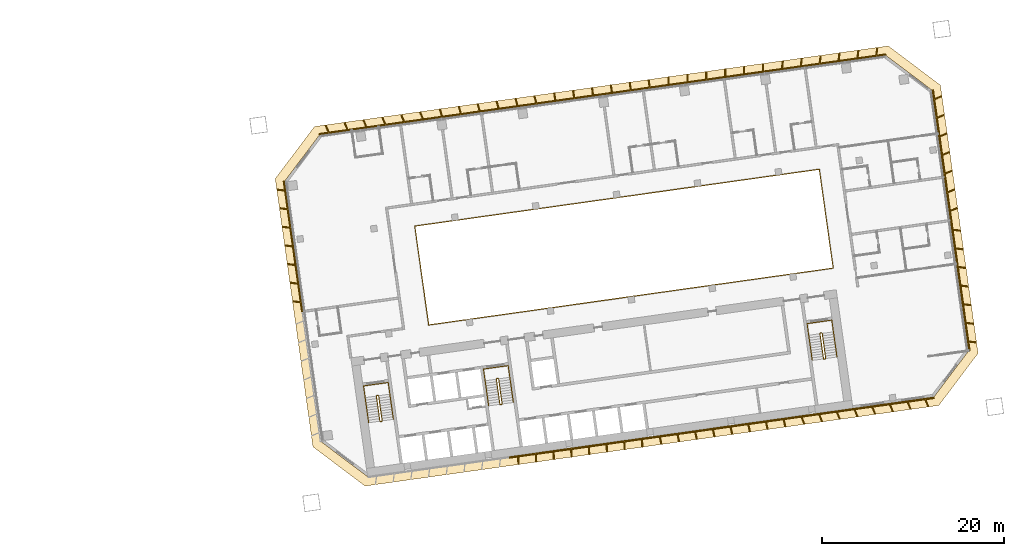
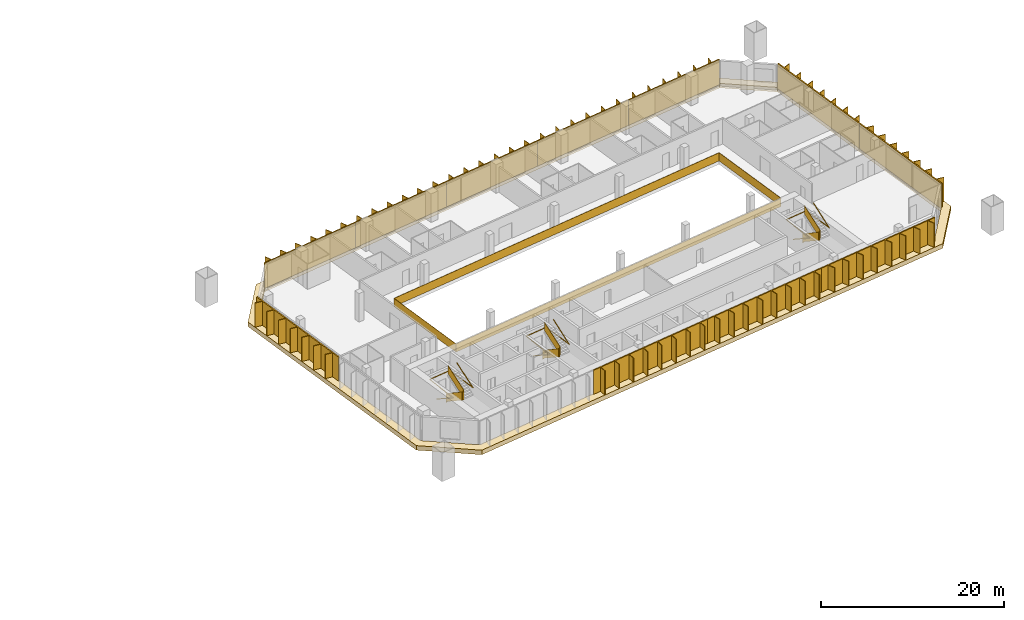
# One storey, part 24 of 24: 11 shading devices, 7 railings, 1 covering.
"""IFC4 building model written with IfcOpenShell, lengths in metres."""

from ifc_helpers import new_model, si_unit, direction, frame, origin, origin_2d, place, context, subcontext, project, spatial, polyline, rectangle, outline, extrude, material, layer, layer_set, type_object, element, save


model = new_model("IFC4")

# Units and contexts
model_context = context("Model", 3, precision=1e-05, world=origin(), true_north=direction((0.0, 1.0)))
body_context = subcontext(model_context, "Body", "Model", "MODEL_VIEW")
ifc_project = project(units=[si_unit("LENGTHUNIT", "METRE"), si_unit("AREAUNIT", "SQUARE_METRE"), si_unit("VOLUMEUNIT", "CUBIC_METRE"), si_unit("PLANEANGLEUNIT", "RADIAN"), si_unit("MASSUNIT", "GRAM", prefix="KILO")], contexts=[model_context])

# Site, building, storey
site_placement = place(None, origin())
site = spatial("IfcSite", under=ifc_project, at=site_placement, CompositionType="ELEMENT")
building_placement = place(site_placement, origin())
building = spatial("IfcBuilding", under=site, at=building_placement, Name="Mirante Cascada Hotel Towers", CompositionType="ELEMENT")
storey_placement = place(building_placement, frame((0.0, 0.0, 81.3)))
storey = spatial("IfcBuildingStorey", under=building, at=storey_placement, Name="L17", CompositionType="ELEMENT", Elevation=81.3)

# Railing
ifc_material_1 = material(Name="Toughened glass with stainless steel handrail", Category="steel")
railing_type_1 = type_object("IfcRailingType", Name="Atrium guard 1100 glass balustrade", PredefinedType="GUARDRAIL", material=ifc_material_1)
railing_1_placement = place(storey_placement, frame((43.8418, -3.4881, 0.0)))
element("IfcRailing", 1, at=railing_1_placement, inside=storey, type_object=railing_type_1, Name="GUARD 2-L17-1", PredefinedType="GUARDRAIL", context=body_context, shape_type="SweptSolid", body=[
    extrude(rectangle(XDim=0.048, YDim=0.048, at=origin_2d()), frame((0.0, 0.0, 1.076), z_axis=(0.9902681, 0.1391732, 0.0), x_axis=(-0.1391732, 0.9902681, 0.0)), (0.0, 0.0, 1.0), 45.0),
    extrude(rectangle(XDim=0.02, YDim=1.052, at=origin_2d()), frame((0.0, 0.0, 0.526), z_axis=(0.9902681, 0.1391732, 0.0), x_axis=(-0.1391732, 0.9902681, 0.0)), (0.0, 0.0, 1.0), 45.0),
    extrude(rectangle(XDim=0.048, YDim=0.048, at=origin_2d()), frame((44.5621, 6.2628, 1.076), z_axis=(-0.1391721, 0.9902682, 0.0), x_axis=(-0.9902682, -0.1391721, 0.0)), (0.0, 0.0, 1.0), 11.0001),
    extrude(rectangle(XDim=0.02, YDim=1.052, at=origin_2d()), frame((44.5621, 6.2628, 0.526), z_axis=(-0.1391721, 0.9902682, 0.0), x_axis=(-0.9902682, -0.1391721, 0.0)), (0.0, 0.0, 1.0), 11.0001),
    extrude(rectangle(XDim=0.048, YDim=0.048, at=origin_2d()), frame((43.0312, 17.1558, 1.076), z_axis=(-0.9902681, -0.1391732, 0.0), x_axis=(0.1391732, -0.9902681, 0.0)), (0.0, 0.0, 1.0), 45.0),
    extrude(rectangle(XDim=0.02, YDim=1.052, at=origin_2d()), frame((43.0312, 17.1558, 0.526), z_axis=(-0.9902681, -0.1391732, 0.0), x_axis=(0.1391732, -0.9902681, 0.0)), (0.0, 0.0, 1.0), 45.0),
    extrude(rectangle(XDim=0.048, YDim=0.048, at=origin_2d()), frame((-1.5309, 10.893, 1.076), z_axis=(0.1391721, -0.9902682, 0.0), x_axis=(0.9902682, 0.1391721, 0.0)), (0.0, 0.0, 1.0), 11.0001),
    extrude(rectangle(XDim=0.02, YDim=1.052, at=origin_2d()), frame((-1.5309, 10.893, 0.526), z_axis=(0.1391721, -0.9902682, 0.0), x_axis=(0.9902682, 0.1391721, 0.0)), (0.0, 0.0, 1.0), 11.0001),
])

# Covering
ifc_material_2 = material(Name="Precast concrete C40/50 white", Category="concrete")
ifc_layer = layer(ifc_material_2, 0.6)
ifc_layer_set = layer_set([ifc_layer], Name="Precast concrete SUNSHADE band 1000x600")
covering_type = type_object("IfcCoveringType", Name="Precast concrete SUNSHADE band 1000x600", PredefinedType="CLADDING", material=ifc_layer_set)
covering_placement = place(storey_placement, frame((0.0, 0.0, -0.45)))
element("IfcCovering", 2, at=covering_placement, inside=storey, type_object=covering_type, Name="Precast concrete SUNSHADE band T2 L17", PredefinedType="CLADDING", context=body_context, shape_type="SweptSolid", body=[
    extrude(outline(polyline([(26.9341, 12.6299), (31.2626, 18.374), (94.4698, 27.2572), (100.2139, 22.9287), (104.3652, -6.6094), (100.0367, -12.3535), (36.8295, -21.2367), (31.0854, -16.9082), (26.9341, 12.6299)]), holes=[polyline([(103.3173, -6.3384), (99.2813, 22.3794), (94.1988, 26.2093), (31.8119, 17.4414), (27.982, 12.3589), (32.018, -16.3589), (37.1005, -20.1888), (99.4874, -11.4209), (103.3173, -6.3384)])]), origin(), (0.0, 0.0, 1.0), 0.6),
])

# Railings
ifc_material_3 = material(Name="Painted steel", Category="steel")
railing_type_2 = type_object("IfcRailingType", Name="Stair guard 1100 steel balustrade", PredefinedType="GUARDRAIL", material=ifc_material_3)
railing_2_placement = place(storey_placement, frame((38.2663, -11.2395, 0.0)))
element("IfcRailing", 3, at=railing_2_placement, inside=storey, type_object=railing_type_2, Name="L17 ST2-A stair guard 1", PredefinedType="GUARDRAIL", context=body_context, shape_type="SweptSolid", body=[
    extrude(rectangle(XDim=0.048, YDim=0.048, at=origin_2d()), frame((0.0, 0.0, 1.076), z_axis=(-0.9903326, -0.1387133, 0.0), x_axis=(0.1387133, -0.9903326, 0.0)), (0.0, 0.0, 1.0), 0.1499),
    extrude(rectangle(XDim=0.02, YDim=1.052, at=origin_2d()), frame((0.0, 0.0, 0.526), z_axis=(-0.9903326, -0.1387133, 0.0), x_axis=(0.1387133, -0.9903326, 0.0)), (0.0, 0.0, 1.0), 0.1499),
    extrude(rectangle(XDim=0.048, YDim=0.048, at=origin_2d()), frame((-0.1485, -0.0208, 1.076), z_axis=(-0.6020331, -0.7984711, 0.0), x_axis=(0.7984711, -0.6020331, 0.0)), (0.0, 0.9253398, 0.3791387), 0.1866),
    extrude(rectangle(XDim=0.02, YDim=1.052, at=origin_2d()), frame((-0.1485, -0.0208, 0.526), z_axis=(-0.6020331, -0.7984711, 0.0), x_axis=(0.7984711, -0.6020331, 0.0)), (0.0, 0.9253398, 0.3791387), 0.1866),
    extrude(rectangle(XDim=0.048, YDim=0.048, at=origin_2d()), frame((-0.1911, -0.0773, 1.2487), z_axis=(0.139176, -0.9902677, 0.0), x_axis=(0.9902677, 0.139176, 0.0)), (0.0, 0.5250212, 0.8510891), 3.29),
    extrude(rectangle(XDim=0.02, YDim=1.052, at=origin_2d()), frame((-0.1911, -0.0773, 0.6987), z_axis=(0.139176, -0.9902677, 0.0), x_axis=(0.9902677, 0.139176, 0.0)), (0.0, 0.5250212, 0.8510891), 3.29),
    extrude(rectangle(XDim=0.048, YDim=0.048, at=origin_2d()), frame((0.1986, -2.8501, 2.976), z_axis=(0.9944948, -0.1047858, 0.0), x_axis=(0.1047858, 0.9944948, 0.0)), (0.0, 0.0, 1.0), 0.2061),
    extrude(rectangle(XDim=0.02, YDim=1.052, at=origin_2d()), frame((0.1986, -2.8501, 2.426), z_axis=(0.9944948, -0.1047858, 0.0), x_axis=(0.1047858, 0.9944948, 0.0)), (0.0, 0.0, 1.0), 0.2061),
    extrude(rectangle(XDim=0.048, YDim=0.048, at=origin_2d()), frame((0.4036, -2.8717, 2.976), z_axis=(-0.9902408, -0.1393672, 0.0), x_axis=(0.1393672, -0.9902408, 0.0)), (0.0, 0.0, 1.0), 0.15),
    extrude(rectangle(XDim=0.02, YDim=1.052, at=origin_2d()), frame((0.4036, -2.8717, 2.426), z_axis=(-0.9902408, -0.1393672, 0.0), x_axis=(0.1393672, -0.9902408, 0.0)), (0.0, 0.0, 1.0), 0.15),
    extrude(rectangle(XDim=0.048, YDim=0.048, at=origin_2d()), frame((0.2551, -2.8926, 2.976), z_axis=(0.9270311, 0.3749843, 0.0), x_axis=(-0.3749843, 0.9270311, 0.0)), (0.0, 0.6421903, 0.7665452), 0.2689),
    extrude(rectangle(XDim=0.02, YDim=1.052, at=origin_2d()), frame((0.2551, -2.8926, 2.426), z_axis=(0.9270311, 0.3749843, 0.0), x_axis=(-0.3749843, 0.9270311, 0.0)), (0.0, 0.6421903, 0.7665452), 0.2689),
    extrude(rectangle(XDim=0.048, YDim=0.048, at=origin_2d()), frame((0.4462, -2.8153, 3.1487), z_axis=(-0.139176, 0.9902677, 0.0), x_axis=(-0.9902677, -0.139176, 0.0)), (0.0, 0.5250212, 0.8510891), 3.29),
    extrude(rectangle(XDim=0.02, YDim=1.052, at=origin_2d()), frame((0.4462, -2.8153, 2.5987), z_axis=(-0.139176, 0.9902677, 0.0), x_axis=(-0.9902677, -0.139176, 0.0)), (0.0, 0.5250212, 0.8510891), 3.29),
])
railing_3_placement = place(storey_placement, frame((51.4864, -9.3815, 0.0)))
element("IfcRailing", 4, at=railing_3_placement, inside=storey, type_object=railing_type_2, Name="L17 ST2-B stair guard 1", PredefinedType="GUARDRAIL", context=body_context, shape_type="SweptSolid", body=[
    extrude(rectangle(XDim=0.048, YDim=0.048, at=origin_2d()), frame((0.0, 0.0, 1.076), z_axis=(-0.9902408, -0.1393672, 0.0), x_axis=(0.1393672, -0.9902408, 0.0)), (0.0, 0.0, 1.0), 0.15),
    extrude(rectangle(XDim=0.02, YDim=1.052, at=origin_2d()), frame((0.0, 0.0, 0.526), z_axis=(-0.9902408, -0.1393672, 0.0), x_axis=(0.1393672, -0.9902408, 0.0)), (0.0, 0.0, 1.0), 0.15),
    extrude(rectangle(XDim=0.048, YDim=0.048, at=origin_2d()), frame((-0.1485, -0.0209, 1.076), z_axis=(-0.6020331, -0.7984711, 0.0), x_axis=(0.7984711, -0.6020331, 0.0)), (0.0, 0.9253398, 0.3791387), 0.1866),
    extrude(rectangle(XDim=0.02, YDim=1.052, at=origin_2d()), frame((-0.1485, -0.0209, 0.526), z_axis=(-0.6020331, -0.7984711, 0.0), x_axis=(0.7984711, -0.6020331, 0.0)), (0.0, 0.9253398, 0.3791387), 0.1866),
    extrude(rectangle(XDim=0.048, YDim=0.048, at=origin_2d()), frame((-0.1911, -0.0774, 1.2487), z_axis=(0.139181, -0.990267, 0.0), x_axis=(0.990267, 0.139181, 0.0)), (0.0, 0.5250347, 0.8510808), 3.2899),
    extrude(rectangle(XDim=0.02, YDim=1.052, at=origin_2d()), frame((-0.1911, -0.0774, 0.6987), z_axis=(0.139181, -0.990267, 0.0), x_axis=(0.990267, 0.139181, 0.0)), (0.0, 0.5250347, 0.8510808), 3.2899),
    extrude(rectangle(XDim=0.048, YDim=0.048, at=origin_2d()), frame((0.1986, -2.8501, 2.976), z_axis=(0.9944441, -0.1052656, 0.0), x_axis=(0.1052656, 0.9944441, 0.0)), (0.0, 0.0, 1.0), 0.2061),
    extrude(rectangle(XDim=0.02, YDim=1.052, at=origin_2d()), frame((0.1986, -2.8501, 2.426), z_axis=(0.9944441, -0.1052656, 0.0), x_axis=(0.1052656, 0.9944441, 0.0)), (0.0, 0.0, 1.0), 0.2061),
    extrude(rectangle(XDim=0.048, YDim=0.048, at=origin_2d()), frame((0.4036, -2.8718, 2.976), z_axis=(-0.9902408, -0.1393672, 0.0), x_axis=(0.1393672, -0.9902408, 0.0)), (0.0, 0.0, 1.0), 0.15),
    extrude(rectangle(XDim=0.02, YDim=1.052, at=origin_2d()), frame((0.4036, -2.8718, 2.426), z_axis=(-0.9902408, -0.1393672, 0.0), x_axis=(0.1393672, -0.9902408, 0.0)), (0.0, 0.0, 1.0), 0.15),
    extrude(rectangle(XDim=0.048, YDim=0.048, at=origin_2d()), frame((0.2551, -2.8927, 2.976), z_axis=(0.9268624, 0.3754011, 0.0), x_axis=(-0.3754011, 0.9268624, 0.0)), (0.0, 0.6421217, 0.7666028), 0.269),
    extrude(rectangle(XDim=0.02, YDim=1.052, at=origin_2d()), frame((0.2551, -2.8927, 2.426), z_axis=(0.9268624, 0.3754011, 0.0), x_axis=(-0.3754011, 0.9268624, 0.0)), (0.0, 0.6421217, 0.7666028), 0.269),
    extrude(rectangle(XDim=0.048, YDim=0.048, at=origin_2d()), frame((0.4462, -2.8153, 3.1487), z_axis=(-0.139181, 0.990267, 0.0), x_axis=(-0.990267, -0.139181, 0.0)), (0.0, 0.5250347, 0.8510808), 3.2899),
    extrude(rectangle(XDim=0.02, YDim=1.052, at=origin_2d()), frame((0.4462, -2.8153, 2.5987), z_axis=(-0.139181, 0.990267, 0.0), x_axis=(-0.990267, -0.139181, 0.0)), (0.0, 0.5250347, 0.8510808), 3.2899),
])
railing_4_placement = place(storey_placement, frame((87.1361, -4.3713, 0.0)))
element("IfcRailing", 5, at=railing_4_placement, inside=storey, type_object=railing_type_2, Name="L17 ST2-C stair guard 1", PredefinedType="GUARDRAIL", context=body_context, shape_type="SweptSolid", body=[
    extrude(rectangle(XDim=0.048, YDim=0.048, at=origin_2d()), frame((0.0, 0.0, 1.076), z_axis=(-0.9902537, -0.1392753, 0.0), x_axis=(0.1392753, -0.9902537, 0.0)), (0.0, 0.0, 1.0), 0.1501),
    extrude(rectangle(XDim=0.02, YDim=1.052, at=origin_2d()), frame((0.0, 0.0, 0.526), z_axis=(-0.9902537, -0.1392753, 0.0), x_axis=(0.1392753, -0.9902537, 0.0)), (0.0, 0.0, 1.0), 0.1501),
    extrude(rectangle(XDim=0.048, YDim=0.048, at=origin_2d()), frame((-0.1486, -0.0209, 1.076), z_axis=(-0.601811, -0.7986386, 0.0), x_axis=(0.7986386, -0.601811, 0.0)), (0.0, 0.925603, 0.3784959), 0.1866),
    extrude(rectangle(XDim=0.02, YDim=1.052, at=origin_2d()), frame((-0.1486, -0.0209, 0.526), z_axis=(-0.601811, -0.7986386, 0.0), x_axis=(0.7986386, -0.601811, 0.0)), (0.0, 0.925603, 0.3784959), 0.1866),
    extrude(rectangle(XDim=0.048, YDim=0.048, at=origin_2d()), frame((-0.1911, -0.0773, 1.2487), z_axis=(0.139176, -0.9902677, 0.0), x_axis=(0.9902677, 0.139176, 0.0)), (0.0, 0.5250212, 0.8510891), 3.29),
    extrude(rectangle(XDim=0.02, YDim=1.052, at=origin_2d()), frame((-0.1911, -0.0773, 0.6987), z_axis=(0.139176, -0.9902677, 0.0), x_axis=(0.9902677, 0.139176, 0.0)), (0.0, 0.5250212, 0.8510891), 3.29),
    extrude(rectangle(XDim=0.048, YDim=0.048, at=origin_2d()), frame((0.1986, -2.8501, 2.976), z_axis=(0.9944441, -0.1052656, 0.0), x_axis=(0.1052656, 0.9944441, 0.0)), (0.0, 0.0, 1.0), 0.2061),
    extrude(rectangle(XDim=0.02, YDim=1.052, at=origin_2d()), frame((0.1986, -2.8501, 2.426), z_axis=(0.9944441, -0.1052656, 0.0), x_axis=(0.1052656, 0.9944441, 0.0)), (0.0, 0.0, 1.0), 0.2061),
    extrude(rectangle(XDim=0.048, YDim=0.048, at=origin_2d()), frame((0.4036, -2.8718, 2.976), z_axis=(-0.9903454, -0.1386217, 0.0), x_axis=(0.1386217, -0.9903454, 0.0)), (0.0, 0.0, 1.0), 0.15),
    extrude(rectangle(XDim=0.02, YDim=1.052, at=origin_2d()), frame((0.4036, -2.8718, 2.426), z_axis=(-0.9903454, -0.1386217, 0.0), x_axis=(0.1386217, -0.9903454, 0.0)), (0.0, 0.0, 1.0), 0.15),
    extrude(rectangle(XDim=0.048, YDim=0.048, at=origin_2d()), frame((0.255, -2.8926, 2.976), z_axis=(0.9270311, 0.3749843, 0.0), x_axis=(-0.3749843, 0.9270311, 0.0)), (0.0, 0.6421903, 0.7665452), 0.2689),
    extrude(rectangle(XDim=0.02, YDim=1.052, at=origin_2d()), frame((0.255, -2.8926, 2.426), z_axis=(0.9270311, 0.3749843, 0.0), x_axis=(-0.3749843, 0.9270311, 0.0)), (0.0, 0.6421903, 0.7665452), 0.2689),
    extrude(rectangle(XDim=0.048, YDim=0.048, at=origin_2d()), frame((0.4461, -2.8153, 3.1487), z_axis=(-0.139176, 0.9902677, 0.0), x_axis=(-0.9902677, -0.139176, 0.0)), (0.0, 0.5250212, 0.8510891), 3.29),
    extrude(rectangle(XDim=0.02, YDim=1.052, at=origin_2d()), frame((0.4461, -2.8153, 2.5987), z_axis=(-0.139176, 0.9902677, 0.0), x_axis=(-0.9902677, -0.139176, 0.0)), (0.0, 0.5250212, 0.8510891), 3.29),
])
ifc_material_4 = material(Name="Painted steel", Category="steel")
railing_type_3 = type_object("IfcRailingType", Name="Stair handrail 900 steel tube", PredefinedType="HANDRAIL", material=ifc_material_4)
railing_5_placement = place(storey_placement, frame((36.8374, -11.4908, 0.1727)))
element("IfcRailing", 6, at=railing_5_placement, inside=storey, type_object=railing_type_3, Name="L17 ST2-A stair handrail 1", PredefinedType="HANDRAIL", context=body_context, shape_type="SweptSolid", body=[
    extrude(rectangle(XDim=0.048, YDim=0.048, at=origin_2d()), frame((0.0, 0.0, 0.876), z_axis=(0.139181, -0.990267, 0.0), x_axis=(0.990267, 0.139181, 0.0)), (0.0, 0.5250347, 0.8510808), 3.2899),
    extrude(rectangle(XDim=0.048, YDim=0.048, at=origin_2d()), frame((0.3897, -2.7727, 2.6033), z_axis=(-0.1391707, 0.9902684, 0.0), x_axis=(-0.9902684, -0.1391707, 0.0)), (0.0, 0.0420846, 0.999114), 4.1036),
    extrude(rectangle(XDim=0.048, YDim=0.048, at=origin_2d()), frame((-0.1809, 1.2874, 2.776), z_axis=(0.9902691, 0.1391657, 0.0), x_axis=(-0.1391657, 0.9902691, 0.0)), (0.0, 0.0, 1.0), 2.75),
    extrude(rectangle(XDim=0.048, YDim=0.048, at=origin_2d()), frame((2.5423, 1.6701, 2.776), z_axis=(0.1391707, -0.9902684, 0.0), x_axis=(0.9902684, 0.1391707, 0.0)), (0.0, 0.0, 1.0), 4.1),
    extrude(rectangle(XDim=0.048, YDim=0.048, at=origin_2d()), frame((3.1129, -2.39, 2.776), z_axis=(-0.139181, 0.990267, 0.0), x_axis=(-0.990267, -0.139181, 0.0)), (0.0, 0.5250347, 0.8510808), 3.2899),
])
railing_6_placement = place(storey_placement, frame((50.0575, -9.6328, 0.1727)))
element("IfcRailing", 7, at=railing_6_placement, inside=storey, type_object=railing_type_3, Name="L17 ST2-B stair handrail 1", PredefinedType="HANDRAIL", context=body_context, shape_type="SweptSolid", body=[
    extrude(rectangle(XDim=0.048, YDim=0.048, at=origin_2d()), frame((0.0, 0.0, 0.876), z_axis=(0.139176, -0.9902677, 0.0), x_axis=(0.9902677, 0.139176, 0.0)), (0.0, 0.5250212, 0.8510891), 3.29),
    extrude(rectangle(XDim=0.048, YDim=0.048, at=origin_2d()), frame((0.3897, -2.7728, 2.6033), z_axis=(-0.1391707, 0.9902684, 0.0), x_axis=(-0.9902684, -0.1391707, 0.0)), (0.0, 0.0420846, 0.999114), 4.1036),
    extrude(rectangle(XDim=0.048, YDim=0.048, at=origin_2d()), frame((-0.1809, 1.2873, 2.776), z_axis=(0.9902641, 0.1392013, 0.0), x_axis=(-0.1392013, 0.9902641, 0.0)), (0.0, 0.0, 1.0), 2.75),
    extrude(rectangle(XDim=0.048, YDim=0.048, at=origin_2d()), frame((2.5423, 1.6701, 2.776), z_axis=(0.1391707, -0.9902684, 0.0), x_axis=(0.9902684, 0.1391707, 0.0)), (0.0, 0.0, 1.0), 4.1),
    extrude(rectangle(XDim=0.048, YDim=0.048, at=origin_2d()), frame((3.1129, -2.39, 2.776), z_axis=(-0.139181, 0.990267, 0.0), x_axis=(-0.990267, -0.139181, 0.0)), (0.0, 0.5250347, 0.8510808), 3.2899),
])
railing_7_placement = place(storey_placement, frame((85.7071, -4.6226, 0.1727)))
element("IfcRailing", 8, at=railing_7_placement, inside=storey, type_object=railing_type_3, Name="L17 ST2-C stair handrail 1", PredefinedType="HANDRAIL", context=body_context, shape_type="SweptSolid", body=[
    extrude(rectangle(XDim=0.048, YDim=0.048, at=origin_2d()), frame((0.0, 0.0, 0.876), z_axis=(0.139181, -0.990267, 0.0), x_axis=(0.990267, 0.139181, 0.0)), (0.0, 0.5250347, 0.8510808), 3.2899),
    extrude(rectangle(XDim=0.048, YDim=0.048, at=origin_2d()), frame((0.3897, -2.7727, 2.6033), z_axis=(-0.1391707, 0.9902684, 0.0), x_axis=(-0.9902684, -0.1391707, 0.0)), (0.0, 0.0420846, 0.999114), 4.1036),
    extrude(rectangle(XDim=0.048, YDim=0.048, at=origin_2d()), frame((-0.1809, 1.2874, 2.776), z_axis=(0.9902691, 0.1391657, 0.0), x_axis=(-0.1391657, 0.9902691, 0.0)), (0.0, 0.0, 1.0), 2.75),
    extrude(rectangle(XDim=0.048, YDim=0.048, at=origin_2d()), frame((2.5423, 1.6701, 2.776), z_axis=(0.1391947, -0.990265, 0.0), x_axis=(0.990265, 0.1391947, 0.0)), (0.0, 0.0, 1.0), 4.1),
    extrude(rectangle(XDim=0.048, YDim=0.048, at=origin_2d()), frame((3.113, -2.39, 2.776), z_axis=(-0.139181, 0.990267, 0.0), x_axis=(-0.990267, -0.139181, 0.0)), (0.0, 0.5250347, 0.8510808), 3.2899),
])

# Shading devices
ifc_material_5 = material(Name="White precast concrete C50/60 fin", Category="concrete")
shading_device_type = type_object("IfcShadingDeviceType", Name="Vertical fin set 4500x900", PredefinedType="USERDEFINED", material=ifc_material_5)
shading_device_1_placement = place(storey_placement, origin())
element("IfcShadingDevice", 9, at=shading_device_1_placement, inside=storey, type_object=shading_device_type, Name="FIN T2 L17 front 1", ObjectType="FIN", PredefinedType="USERDEFINED", context=body_context, shape_type="SweptSolid", body=[
    extrude(outline(polyline([(82.8967, 25.5893), (82.7946, 24.758), (84.7922, 25.0387), (84.8968, 25.8913), (84.9762, 25.8815), (84.8742, 25.0503), (86.8717, 25.331), (86.9764, 26.1835), (87.0558, 26.1738), (86.9537, 25.3425), (88.9513, 25.6233), (89.056, 26.4758), (89.1354, 26.4661), (89.0333, 25.6348), (91.0308, 25.9155), (91.1355, 26.7681), (91.2149, 26.7583), (91.1129, 25.9271), (93.1104, 26.2078), (93.2151, 27.0603), (93.2945, 27.0506), (93.1924, 26.2193), (94.1779, 26.3578), (94.1988, 26.2093), (81.7214, 24.4557), (81.7006, 24.6042), (82.7126, 24.7465), (82.8173, 25.599), (82.8967, 25.5893)])), origin(), (0.0, 0.0, 1.0), 3.35),
])
shading_device_2_placement = place(storey_placement, origin())
element("IfcShadingDevice", 10, at=shading_device_2_placement, inside=storey, type_object=shading_device_type, Name="FIN T2 L17 front 2", ObjectType="FIN", PredefinedType="USERDEFINED", context=body_context, shape_type="SweptSolid", body=[
    extrude(outline(polyline([(70.3021, 23.8476), (70.3094, 23.0033), (72.3091, 23.2844), (72.3016, 24.1392), (72.3816, 24.1399), (72.389, 23.2956), (74.3886, 23.5766), (74.3812, 24.4314), (74.4612, 24.4321), (74.4686, 23.5878), (76.4682, 23.8689), (76.4608, 24.7237), (76.5407, 24.7244), (76.5481, 23.8801), (78.5478, 24.1611), (78.5403, 25.0159), (78.6203, 25.0166), (78.6277, 24.1724), (80.6273, 24.4534), (80.6199, 25.3082), (80.6999, 25.3089), (80.7072, 24.4646), (81.7006, 24.6042), (81.7214, 24.4557), (69.2441, 22.7021), (69.2232, 22.8507), (70.2295, 22.9921), (70.2221, 23.8469), (70.3021, 23.8476)])), origin(), (0.0, 0.0, 1.0), 3.35),
])
shading_device_3_placement = place(storey_placement, origin())
element("IfcShadingDevice", 11, at=shading_device_3_placement, inside=storey, type_object=shading_device_type, Name="FIN T2 L17 front 3", ObjectType="FIN", PredefinedType="USERDEFINED", context=body_context, shape_type="SweptSolid", body=[
    extrude(outline(polyline([(57.7069, 22.0905), (57.8252, 21.2488), (59.8255, 21.5299), (59.7072, 22.3716), (59.7865, 22.3828), (59.9048, 21.541), (61.9051, 21.8222), (61.7868, 22.6639), (61.866, 22.675), (61.9843, 21.8333), (63.9847, 22.1144), (63.8664, 22.9562), (63.9456, 22.9673), (64.0639, 22.1256), (66.0642, 22.4067), (65.9459, 23.2484), (66.0251, 23.2596), (66.1434, 22.4178), (68.1438, 22.699), (68.0255, 23.5407), (68.1047, 23.5518), (68.223, 22.7101), (69.2232, 22.8507), (69.2441, 22.7021), (56.7667, 20.9485), (56.7458, 21.0971), (57.746, 21.2376), (57.6277, 22.0794), (57.7069, 22.0905)])), origin(), (0.0, 0.0, 1.0), 3.35),
])
shading_device_4_placement = place(storey_placement, origin())
element("IfcShadingDevice", 12, at=shading_device_4_placement, inside=storey, type_object=shading_device_type, Name="FIN T2 L17 front 4", ObjectType="FIN", PredefinedType="USERDEFINED", context=body_context, shape_type="SweptSolid", body=[
    extrude(outline(polyline([(45.1132, 20.3181), (45.3416, 19.4943), (47.3413, 19.7754), (47.1157, 20.589), (47.1928, 20.6103), (47.4212, 19.7866), (49.4209, 20.0676), (49.1952, 20.8812), (49.2723, 20.9026), (49.5008, 20.0789), (51.5004, 20.3599), (51.2748, 21.1735), (51.3519, 21.1949), (51.5803, 20.3711), (53.58, 20.6521), (53.3544, 21.4657), (53.4314, 21.4871), (53.6599, 20.6634), (55.6595, 20.9444), (55.4339, 21.758), (55.511, 21.7794), (55.7394, 20.9556), (56.7458, 21.0971), (56.7667, 20.9485), (44.2893, 19.195), (44.2684, 19.3435), (45.2617, 19.4831), (45.0361, 20.2967), (45.1132, 20.3181)])), origin(), (0.0, 0.0, 1.0), 3.35),
])
shading_device_5_placement = place(storey_placement, origin())
element("IfcShadingDevice", 13, at=shading_device_5_placement, inside=storey, type_object=shading_device_type, Name="FIN T2 L17 front 5", ObjectType="FIN", PredefinedType="USERDEFINED", context=body_context, shape_type="SweptSolid", body=[
    extrude(outline(polyline([(32.5229, 18.5306), (32.8586, 17.7399), (34.8561, 18.0207), (34.5289, 18.7916), (34.6025, 18.8229), (34.9381, 18.0322), (36.9357, 18.3129), (36.6084, 19.0839), (36.6821, 19.1151), (37.0177, 18.3245), (39.0152, 18.6052), (38.688, 19.3761), (38.7616, 19.4074), (39.0973, 18.6167), (41.0948, 18.8975), (40.7676, 19.6684), (40.8412, 19.6997), (41.1768, 18.909), (43.1744, 19.1897), (42.8471, 19.9607), (42.9208, 19.9919), (43.2564, 19.2013), (44.2684, 19.3435), (44.2893, 19.195), (31.8119, 17.4414), (31.791, 17.5899), (32.7765, 17.7284), (32.4493, 18.4994), (32.5229, 18.5306)])), origin(), (0.0, 0.0, 1.0), 3.35),
])
shading_device_6_placement = place(storey_placement, origin())
element("IfcShadingDevice", 14, at=shading_device_6_placement, inside=storey, type_object=shading_device_type, Name="FIN T2 L17 inner 1", ObjectType="FIN", PredefinedType="USERDEFINED", context=body_context, shape_type="SweptSolid", body=[
    extrude(outline(polyline([(28.8684, -0.8389), (29.6997, -0.941), (29.4229, 1.0283), (28.5704, 1.133), (28.5801, 1.2124), (29.4114, 1.1103), (29.1346, 3.0796), (28.2821, 3.1842), (28.2918, 3.2636), (29.1231, 3.1616), (28.8464, 5.1308), (27.9938, 5.2355), (28.0036, 5.3149), (28.8348, 5.2128), (28.5581, 7.1821), (27.7055, 7.2868), (27.7153, 7.3662), (28.5465, 7.2641), (28.2698, 9.2334), (27.4172, 9.338), (27.427, 9.4174), (28.2583, 9.3154), (27.9815, 11.2846), (27.1289, 11.3893), (27.1387, 11.4687), (27.97, 11.3667), (27.8334, 12.338), (27.982, 12.3589), (30.0, -2.0), (29.8515, -2.0209), (29.7112, -1.023), (28.8587, -0.9183), (28.8684, -0.8389)])), origin(), (0.0, 0.0, 1.0), 3.35),
])
shading_device_7_placement = place(storey_placement, origin())
element("IfcShadingDevice", 15, at=shading_device_7_placement, inside=storey, type_object=shading_device_type, Name="FIN T2 L17 outer 1", ObjectType="FIN", PredefinedType="USERDEFINED", context=body_context, shape_type="SweptSolid", body=[
    extrude(outline(polyline([(104.1606, -5.4483), (103.3293, -5.3462), (103.4659, -6.3175), (103.3173, -6.3384), (101.2993, 8.0205), (101.4478, 8.0413), (101.5881, 7.0434), (102.4406, 6.9388), (102.4309, 6.8594), (101.5996, 6.9614), (101.8764, 4.9922), (102.7289, 4.8875), (102.7192, 4.8081), (101.8879, 4.9102), (102.1647, 2.9409), (103.0172, 2.8362), (103.0075, 2.7568), (102.1762, 2.8589), (102.4529, 0.8896), (103.3055, 0.785), (103.2957, 0.7056), (102.4645, 0.8076), (102.7412, -1.1616), (103.5938, -1.2663), (103.584, -1.3457), (102.7528, -1.2436), (103.0295, -3.2129), (103.8821, -3.3176), (103.8723, -3.397), (103.041, -3.2949), (103.3178, -5.2642), (104.1704, -5.3689), (104.1606, -5.4483)])), origin(), (0.0, 0.0, 1.0), 3.35),
])
shading_device_8_placement = place(storey_placement, origin())
element("IfcShadingDevice", 16, at=shading_device_8_placement, inside=storey, type_object=shading_device_type, Name="FIN T2 L17 outer 2", ObjectType="FIN", PredefinedType="USERDEFINED", context=body_context, shape_type="SweptSolid", body=[
    extrude(outline(polyline([(102.0983, 9.3749), (101.3076, 9.0392), (101.4478, 8.0413), (101.2993, 8.0205), (99.2813, 22.3794), (99.4298, 22.4002), (99.5663, 21.4289), (100.3373, 21.7561), (100.3685, 21.6825), (99.5779, 21.3469), (99.8546, 19.3776), (100.6256, 19.7048), (100.6568, 19.6312), (99.8662, 19.2956), (100.1429, 17.3263), (100.9139, 17.6536), (100.9451, 17.5799), (100.1544, 17.2443), (100.4312, 15.2751), (101.2021, 15.6023), (101.2334, 15.5287), (100.4427, 15.193), (100.7195, 13.2238), (101.4904, 13.551), (101.5217, 13.4774), (100.731, 13.1418), (101.0078, 11.1725), (101.7787, 11.4998), (101.81, 11.4261), (101.0193, 11.0905), (101.2961, 9.1212), (102.067, 9.4485), (102.0983, 9.3749)])), origin(), (0.0, 0.0, 1.0), 3.35),
])
shading_device_9_placement = place(storey_placement, origin())
element("IfcShadingDevice", 17, at=shading_device_9_placement, inside=storey, type_object=shading_device_type, Name="FIN T2 L17 rear 2", ObjectType="FIN", PredefinedType="USERDEFINED", context=body_context, shape_type="SweptSolid", body=[
    extrude(outline(polyline([(53.6931, -18.8597), (53.6488, -18.0146), (52.7181, -18.1454), (52.6972, -17.9968), (68.2939, -15.8049), (68.3148, -15.9534), (67.3755, -16.0854), (67.4201, -16.9376), (67.3402, -16.9417), (67.2959, -16.0966), (65.4259, -16.3594), (65.4705, -17.2116), (65.3906, -17.2157), (65.3463, -16.3706), (63.4763, -16.6334), (63.5209, -17.4856), (63.441, -17.4897), (63.3967, -16.6446), (61.5267, -16.9074), (61.5713, -17.7596), (61.4914, -17.7637), (61.4472, -16.9186), (59.5771, -17.1814), (59.6217, -18.0335), (59.5419, -18.0377), (59.4976, -17.1926), (57.6275, -17.4554), (57.6722, -18.3075), (57.5923, -18.3117), (57.548, -17.4666), (55.6779, -17.7294), (55.7226, -18.5815), (55.6427, -18.5857), (55.5984, -17.7406), (53.7283, -18.0034), (53.773, -18.8555), (53.6931, -18.8597)])), origin(), (0.0, 0.0, 1.0), 3.35),
])
shading_device_10_placement = place(storey_placement, origin())
element("IfcShadingDevice", 18, at=shading_device_10_placement, inside=storey, type_object=shading_device_type, Name="FIN T2 L17 rear 3", ObjectType="FIN", PredefinedType="USERDEFINED", context=body_context, shape_type="SweptSolid", body=[
    extrude(outline(polyline([(69.4461, -16.6528), (69.2542, -15.8214), (68.3148, -15.9534), (68.2939, -15.8049), (83.8907, -13.6129), (83.9115, -13.7614), (82.9808, -13.8922), (83.1712, -14.7168), (83.0933, -14.7348), (82.9013, -13.9034), (81.0312, -14.1662), (81.2216, -14.9908), (81.1437, -15.0088), (80.9517, -14.1774), (79.0817, -14.4402), (79.272, -15.2648), (79.1941, -15.2828), (79.0021, -14.4514), (77.1321, -14.7142), (77.3224, -15.5388), (77.2445, -15.5568), (77.0525, -14.7254), (75.1825, -14.9882), (75.3729, -15.8128), (75.2949, -15.8308), (75.103, -14.9994), (73.2329, -15.2622), (73.4233, -16.0868), (73.3453, -16.1048), (73.1534, -15.2734), (71.2833, -15.5362), (71.4737, -16.3608), (71.3957, -16.3788), (71.2038, -15.5474), (69.3337, -15.8102), (69.5241, -16.6348), (69.4461, -16.6528)])), origin(), (0.0, 0.0, 1.0), 3.35),
])
shading_device_11_placement = place(storey_placement, origin())
element("IfcShadingDevice", 19, at=shading_device_11_placement, inside=storey, type_object=shading_device_type, Name="FIN T2 L17 rear 4", ObjectType="FIN", PredefinedType="USERDEFINED", context=body_context, shape_type="SweptSolid", body=[
    extrude(outline(polyline([(85.1942, -14.419), (84.8586, -13.6283), (83.9115, -13.7614), (83.8907, -13.6129), (99.4874, -11.4209), (99.5083, -11.5694), (98.5877, -11.6988), (98.915, -12.4698), (98.8413, -12.501), (98.5057, -11.7103), (96.6381, -11.9728), (96.9654, -12.7438), (96.8918, -12.775), (96.5561, -11.9843), (94.6886, -12.2468), (95.0158, -13.0178), (94.9422, -13.049), (94.6065, -12.2583), (92.739, -12.5208), (93.0662, -13.2918), (92.9926, -13.323), (92.657, -12.5323), (90.7894, -12.7948), (91.1166, -13.5657), (91.043, -13.597), (90.7074, -12.8063), (88.8398, -13.0688), (89.167, -13.8397), (89.0934, -13.871), (88.7578, -13.0803), (86.8902, -13.3428), (87.2174, -14.1137), (87.1438, -14.145), (86.8082, -13.3543), (84.9406, -13.6168), (85.2679, -14.3877), (85.1942, -14.419)])), origin(), (0.0, 0.0, 1.0), 3.35),
])

save(model, "model.ifc")
